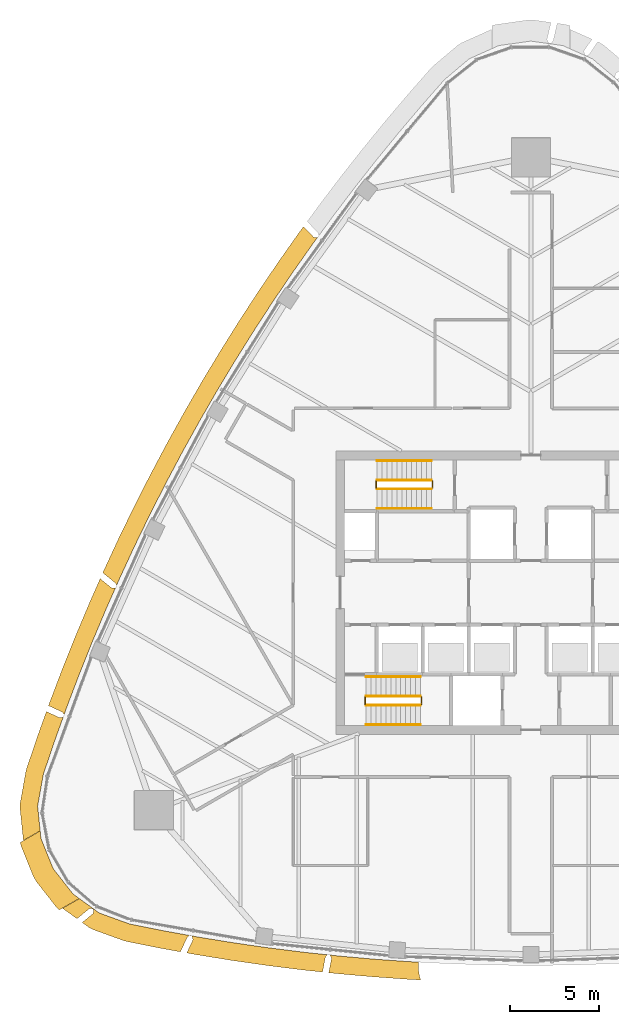
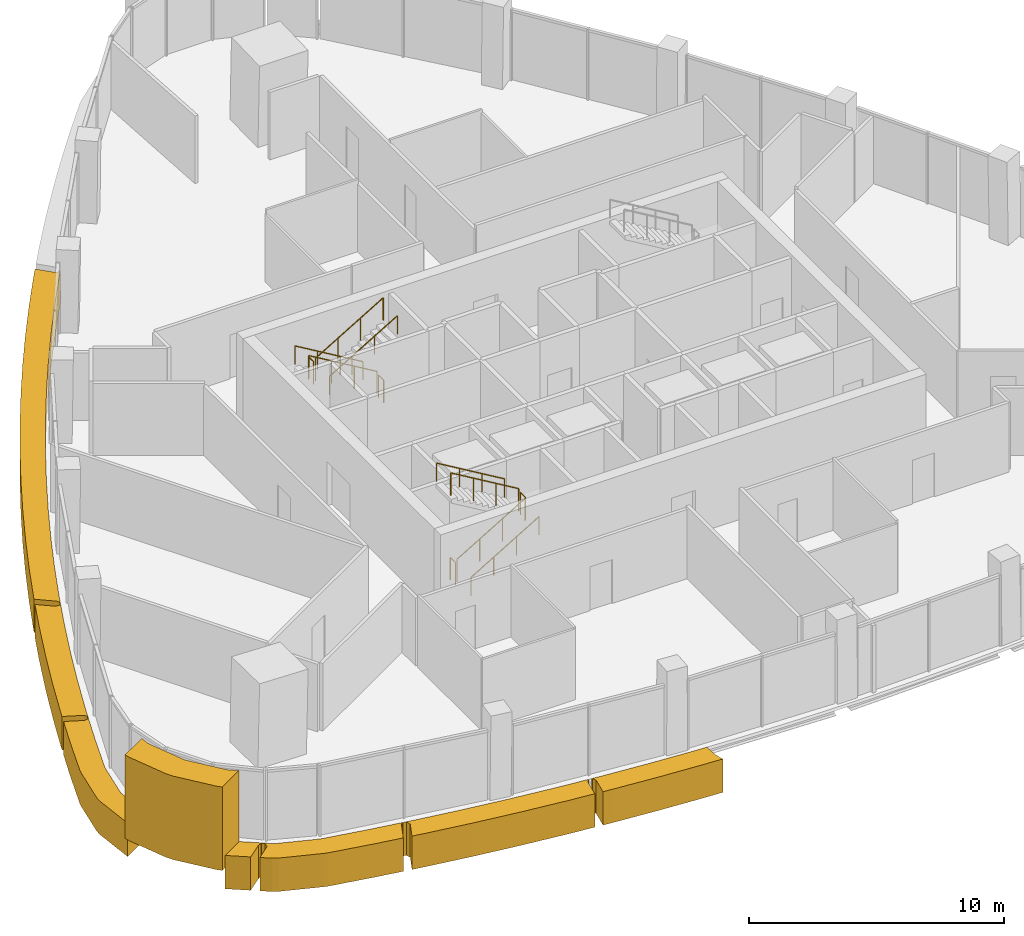
# One storey, part 12 of 15: 12 railings, 5 coverings.
"""IFC4 building model written with IfcOpenShell, lengths in metres."""

from ifc_helpers import new_model, si_unit, direction, frame, origin, origin_2d, place, context, subcontext, project, spatial, polyline, circle, outline, extrude, material, layer, layer_set, type_object, element, save


model = new_model("IFC4")

# Units and contexts
model_context = context("Model", 3, precision=1e-05, world=origin(), true_north=direction((0.0, 1.0)))
body_context = subcontext(model_context, "Body", "Model", "MODEL_VIEW")
ifc_project = project(units=[si_unit("LENGTHUNIT", "METRE"), si_unit("AREAUNIT", "SQUARE_METRE"), si_unit("VOLUMEUNIT", "CUBIC_METRE"), si_unit("PLANEANGLEUNIT", "RADIAN"), si_unit("MASSUNIT", "GRAM", prefix="KILO")], contexts=[model_context])

# Site, building, storey
site_placement = place(None, origin())
site = spatial("IfcSite", under=ifc_project, at=site_placement, CompositionType="ELEMENT")
building_placement = place(site_placement, origin())
building = spatial("IfcBuilding", under=site, at=building_placement, Name="Sierra Prisma Convention Tower", CompositionType="ELEMENT")
storey_placement = place(building_placement, frame((0.0, 0.0, 267.0)))
storey = spatial("IfcBuildingStorey", under=building, at=storey_placement, Name="L60", CompositionType="ELEMENT", Elevation=267.0)

# Coverings
ifc_material_1 = material(Name="Aluminium composite bronze anodised", Category="aluminium")
ifc_layer_1 = layer(ifc_material_1, 1.199951171875)
ifc_layer_set_1 = layer_set([ifc_layer_1], Name="Bronze corner pier")
covering_type_1 = type_object("IfcCoveringType", Name="Bronze corner pier", PredefinedType="CLADDING", material=ifc_layer_set_1)
covering_1_placement = place(storey_placement, frame((0.0, 0.0, -0.60009765625)))
element("IfcCovering", 1, at=covering_1_placement, inside=storey, type_object=covering_type_1, Name="Corner pier SW L60.1", PredefinedType="CLADDING", context=body_context, shape_type="SweptSolid", body=[
    extrude(outline(polyline([(-28.807861328125, -14.091796875), (-27.683349609375, -13.442626953125), (-27.6396484375, -13.8662109375), (-26.955322265625, -15.562744140625), (-25.828369140625, -17.00341796875), (-25.4833984375, -17.253173828125), (-26.60791015625, -17.90234375), (-26.7734375, -17.742919921875), (-27.900634765625, -16.302001953125), (-28.068359375, -16.01171875), (-28.75244140625, -14.315185546875), (-28.807861328125, -14.091796875)])), origin(), (0.0, 0.0, 1.0), 4.0),
])
ifc_material_2 = material(Name="Aluminium composite bronze anodised", Category="aluminium")
ifc_layer_2 = layer(ifc_material_2, 1.0)
ifc_layer_set_2 = layer_set([ifc_layer_2], Name="Bronze spandrel band")
covering_type_2 = type_object("IfcCoveringType", Name="Bronze spandrel band", PredefinedType="CLADDING", material=ifc_layer_set_2)
covering_2_placement = place(storey_placement, frame((0.0, 0.0, -1.60009765625)))
element("IfcCovering", 2, at=covering_2_placement, inside=storey, type_object=covering_type_2, Name="Spandrel band L60.1", PredefinedType="CLADDING", context=body_context, shape_type="SweptSolid", body=[
    extrude(outline(polyline([(-26.575439453125, -7.05322265625), (-26.570556640625, -7.052978515625), (-26.5654296875, -7.052490234375), (-26.4169921875, -7.026611328125), (-26.412353515625, -7.025390625), (-26.407958984375, -7.02392578125), (-26.403564453125, -7.022216796875), (-26.3994140625, -7.019775390625), (-26.3955078125, -7.01708984375), (-26.3916015625, -7.013916015625), (-26.388427734375, -7.010498046875), (-26.38525390625, -7.0068359375), (-26.3828125, -7.002685546875), (-26.380615234375, -6.99853515625), (-26.378662109375, -6.994140625), (-26.3447265625, -6.900146484375), (-26.343505859375, -6.8955078125), (-26.34228515625, -6.890625), (-26.341796875, -6.8857421875), (-26.341796875, -6.881103515625), (-26.34228515625, -6.876220703125), (-26.34326171875, -6.871337890625), (-26.3447265625, -6.86669921875), (-26.346435546875, -6.8623046875), (-26.3486328125, -6.85791015625), (-26.351318359375, -6.85400390625), (-26.428955078125, -6.746826171875), (-26.43212890625, -6.742919921875), (-26.435791015625, -6.7392578125), (-26.439697265625, -6.736083984375), (-26.44384765625, -6.733154296875), (-26.448486328125, -6.730712890625), (-27.215087890625, -6.377197265625), (-27.1396484375, -6.1669921875), (-27.13330078125, -6.150146484375), (-26.4306640625, -4.297607421875), (-26.424072265625, -4.281005859375), (-25.688232421875, -2.44140625), (-25.681396484375, -2.4248046875), (-24.912841796875, -0.5986328125), (-24.90576171875, -0.582275390625), (-24.298828125, 0.790283203125), (-23.665283203125, 0.27978515625), (-23.6611328125, 0.27685546875), (-23.656982421875, 0.2744140625), (-23.65234375, 0.272216796875), (-23.647705078125, 0.270751953125), (-23.642822265625, 0.26953125), (-23.637939453125, 0.268798828125), (-23.633056640625, 0.268798828125), (-23.465087890625, 0.271728515625), (-23.460205078125, 0.272216796875), (-23.45556640625, 0.27294921875), (-23.451171875, 0.274169921875), (-23.446533203125, 0.275634765625), (-23.4423828125, 0.27783203125), (-23.438232421875, 0.2802734375), (-23.4345703125, 0.282958984375), (-23.430908203125, 0.2861328125), (-23.427734375, 0.28955078125), (-23.42578125, 0.292236328125), (-23.9912109375, -0.986572265625), (-24.759765625, -2.812744140625), (-25.49560546875, -4.65234375), (-26.198486328125, -6.5048828125), (-26.867919921875, -8.36962890625), (-27.504150390625, -10.24609375), (-27.827392578125, -12.046630859375), (-27.6845703125, -13.431884765625), (-28.6318359375, -13.978759765625), (-28.634521484375, -13.968994140625), (-28.822265625, -12.1494140625), (-28.811767578125, -11.869873046875), (-28.48828125, -10.0693359375), (-28.451171875, -9.925048828125), (-27.815185546875, -8.048583984375), (-27.80908203125, -8.03173828125), (-27.333740234375, -6.707763671875), (-26.594970703125, -7.048583984375), (-26.59033203125, -7.050537109375), (-26.58544921875, -7.052001953125), (-26.58056640625, -7.052734375), (-26.575439453125, -7.05322265625)])), origin(), (0.0, 0.0, 1.0), 1.60009765625),
])
covering_3_placement = place(storey_placement, frame((0.0, 0.0, -1.60009765625)))
element("IfcCovering", 3, at=covering_3_placement, inside=storey, type_object=covering_type_2, Name="Spandrel band L60.2", PredefinedType="CLADDING", context=body_context, shape_type="SweptSolid", body=[
    extrude(outline(polyline([(-22.62548828125, -18.6962890625), (-20.682373046875, -19.08349609375), (-18.732666015625, -19.43603515625), (-16.77685546875, -19.753662109375), (-14.81591796875, -20.0361328125), (-12.85009765625, -20.28369140625), (-11.459716796875, -20.433349609375), (-11.46337890625, -20.433837890625), (-11.46826171875, -20.43505859375), (-11.47265625, -20.4365234375), (-11.477294921875, -20.438720703125), (-11.4814453125, -20.44091796875), (-11.4853515625, -20.44384765625), (-11.489013671875, -20.447021484375), (-11.4921875, -20.45068359375), (-11.578125, -20.551025390625), (-11.581298828125, -20.55517578125), (-11.583984375, -20.5595703125), (-11.586181640625, -20.564208984375), (-11.587890625, -20.56884765625), (-11.589111328125, -20.573974609375), (-11.75341796875, -21.407470703125), (-12.95703125, -21.27783203125), (-12.974853515625, -21.27587890625), (-14.940673828125, -21.0283203125), (-14.95849609375, -21.02587890625), (-16.91943359375, -20.743408203125), (-16.937255859375, -20.74072265625), (-18.892822265625, -20.423095703125), (-18.91064453125, -20.420166015625), (-19.413818359375, -20.3291015625), (-19.069091796875, -19.598388671875), (-19.0673828125, -19.59375), (-19.06591796875, -19.5888671875), (-19.06494140625, -19.583984375), (-19.064453125, -19.5791015625), (-19.064453125, -19.57421875), (-19.06494140625, -19.569091796875), (-19.06591796875, -19.564208984375), (-19.108642578125, -19.40185546875), (-19.110107421875, -19.397216796875), (-19.11181640625, -19.392822265625), (-19.114013671875, -19.388671875), (-19.11669921875, -19.384765625), (-19.11962890625, -19.381103515625), (-19.123046875, -19.377685546875), (-19.126708984375, -19.374755859375), (-19.130615234375, -19.3720703125), (-19.134521484375, -19.36962890625), (-19.138916015625, -19.367919921875), (-19.143310546875, -19.3662109375), (-19.148193359375, -19.365234375), (-19.24658203125, -19.347412109375), (-19.25146484375, -19.3466796875), (-19.25634765625, -19.3466796875), (-19.26123046875, -19.346923828125), (-19.26611328125, -19.347900390625), (-19.27099609375, -19.34912109375), (-19.275390625, -19.350830078125), (-19.280029296875, -19.35302734375), (-19.2841796875, -19.355712890625), (-19.2880859375, -19.35888671875), (-19.373291015625, -19.4326171875), (-19.376953125, -19.43603515625), (-19.38037109375, -19.440185546875), (-19.38330078125, -19.4443359375), (-19.3857421875, -19.448974609375), (-19.770263671875, -20.2646484375), (-20.8603515625, -20.067626953125), (-20.8779296875, -20.064208984375), (-22.821044921875, -19.677001953125), (-22.964599609375, -19.636962890625), (-24.685546875, -19.0166015625), (-24.9326171875, -18.885986328125), (-25.314208984375, -18.610107421875), (-24.715087890625, -18.123046875), (-24.71142578125, -18.11962890625), (-24.7080078125, -18.115966796875), (-24.705078125, -18.112060546875), (-24.702392578125, -18.10791015625), (-24.700439453125, -18.103271484375), (-24.69873046875, -18.0986328125), (-24.697509765625, -18.09375), (-24.66552734375, -17.928955078125), (-24.664794921875, -17.92431640625), (-24.66455078125, -17.91943359375), (-24.664794921875, -17.914794921875), (-24.66552734375, -17.909912109375), (-24.66650390625, -17.905517578125), (-24.668212890625, -17.90087890625), (-24.669921875, -17.896484375), (-24.67236328125, -17.892578125), (-24.675048828125, -17.888671875), (-24.67822265625, -17.885009765625), (-24.681640625, -17.8818359375), (-24.685302734375, -17.87890625), (-24.766357421875, -17.8203125), (-24.7705078125, -17.8173828125), (-24.77490234375, -17.815185546875), (-24.779296875, -17.8134765625), (-24.7841796875, -17.81201171875), (-24.7890625, -17.81103515625), (-24.7939453125, -17.810791015625), (-24.799072265625, -17.810791015625), (-24.803955078125, -17.811279296875), (-24.80859375, -17.8125), (-24.91748046875, -17.842041015625), (-24.92236328125, -17.843505859375), (-24.927001953125, -17.845703125), (-24.931640625, -17.848388671875), (-24.935791015625, -17.8515625), (-25.607666015625, -18.397705078125), (-26.41455078125, -17.813720703125), (-26.421875, -17.806640625), (-25.474609375, -17.259521484375), (-24.346435546875, -18.075927734375), (-22.62548828125, -18.6962890625)])), origin(), (0.0, 0.0, 1.0), 1.60009765625),
])
covering_4_placement = place(storey_placement, frame((0.0, 0.0, -1.60009765625)))
element("IfcCovering", 4, at=covering_4_placement, inside=storey, type_object=covering_type_2, Name="Spandrel band L60.3", PredefinedType="CLADDING", context=body_context, shape_type="SweptSolid", body=[
    extrude(outline(polyline([(-21.4853515625, 6.624755859375), (-21.47705078125, 6.640625), (-20.54833984375, 8.390869140625), (-20.539794921875, 8.406494140625), (-19.580078125, 10.139892578125), (-19.5712890625, 10.155517578125), (-18.58056640625, 11.871337890625), (-18.571533203125, 11.886962890625), (-17.55029296875, 13.584716796875), (-17.541015625, 13.60009765625), (-16.489501953125, 15.279296875), (-16.47998046875, 15.29443359375), (-15.398681640625, 16.954833984375), (-15.388671875, 16.9697265625), (-14.27783203125, 18.6103515625), (-14.267822265625, 18.625), (-13.127685546875, 20.24560546875), (-13.117431640625, 20.26025390625), (-12.82763671875, 20.65673828125), (-12.264404296875, 20.0703125), (-12.260986328125, 20.067138671875), (-12.257080078125, 20.064208984375), (-12.25341796875, 20.061767578125), (-12.249267578125, 20.0595703125), (-12.244873046875, 20.057861328125), (-12.240478515625, 20.056396484375), (-12.23583984375, 20.0556640625), (-12.078369140625, 20.031005859375), (-12.073486328125, 20.030517578125), (-12.068359375, 20.030517578125), (-12.0634765625, 20.031005859375), (-12.05859375, 20.031982421875), (-12.0537109375, 20.033447265625), (-12.04931640625, 20.035400390625), (-12.044921875, 20.03759765625), (-12.040771484375, 20.040283203125), (-12.03759765625, 20.04296875), (-12.309814453125, 19.67041015625), (-13.449951171875, 18.0498046875), (-14.560791015625, 16.408935546875), (-15.64208984375, 14.748779296875), (-16.693359375, 13.0693359375), (-17.714599609375, 11.371337890625), (-18.705322265625, 9.655517578125), (-19.6650390625, 7.922119140625), (-20.59375, 6.172119140625), (-21.490966796875, 4.405517578125), (-22.3564453125, 2.623046875), (-23.18994140625, 0.82568359375), (-23.37646484375, 0.403564453125), (-23.3759765625, 0.4072265625), (-23.37548828125, 0.412353515625), (-23.375732421875, 0.417236328125), (-23.376220703125, 0.422119140625), (-23.37744140625, 0.427001953125), (-23.37890625, 0.431640625), (-23.381103515625, 0.436279296875), (-23.4326171875, 0.536376953125), (-23.435302734375, 0.540771484375), (-23.438232421875, 0.544921875), (-23.44189453125, 0.548828125), (-23.44580078125, 0.552490234375), (-24.15234375, 1.12158203125), (-24.1044921875, 1.22998046875), (-24.09716796875, 1.24609375), (-23.263671875, 3.043701171875), (-23.256103515625, 3.059814453125), (-22.390380859375, 4.84228515625), (-22.382568359375, 4.858154296875), (-21.4853515625, 6.624755859375)])), origin(), (0.0, 0.0, 1.0), 1.60009765625),
])
covering_5_placement = place(storey_placement, frame((0.0, 0.0, -1.60009765625)))
element("IfcCovering", 5, at=covering_5_placement, inside=storey, type_object=covering_type_2, Name="Spandrel band L60.7", PredefinedType="CLADDING", context=body_context, shape_type="SweptSolid", body=[
    extrude(outline(polyline([(-6.98388671875, -21.81298828125), (-7.001708984375, -21.81201171875), (-8.97802734375, -21.670166015625), (-8.995849609375, -21.668701171875), (-10.96923828125, -21.49169921875), (-10.987060546875, -21.489990234375), (-11.404052734375, -21.4453125), (-11.24560546875, -20.6416015625), (-11.2451171875, -20.636474609375), (-11.244873046875, -20.631591796875), (-11.2451171875, -20.62646484375), (-11.245849609375, -20.62158203125), (-11.2470703125, -20.61669921875), (-11.248779296875, -20.61181640625), (-11.30908203125, -20.473876953125), (-11.31103515625, -20.469482421875), (-11.313720703125, -20.46533203125), (-11.31640625, -20.461669921875), (-11.31982421875, -20.4580078125), (-11.3232421875, -20.454833984375), (-11.3271484375, -20.4521484375), (-11.331298828125, -20.44970703125), (-11.335693359375, -20.447509765625), (-11.3388671875, -20.4462890625), (-10.8798828125, -20.495849609375), (-8.906494140625, -20.6728515625), (-6.930419921875, -20.814453125), (-6.340576171875, -20.84619140625), (-6.3447265625, -20.966796875), (-6.341064453125, -21.213623046875), (-6.313232421875, -21.459228515625), (-6.261474609375, -21.70068359375), (-6.21240234375, -21.8544921875), (-6.98388671875, -21.81298828125)])), origin(), (0.0, 0.0, 1.0), 1.60009765625),
])

# Railings
ifc_material_3 = material(Name="Stainless steel", Category="steel")
railing_type_1 = type_object("IfcRailingType", Name="Exit stair handrail", PredefinedType="HANDRAIL", material=ifc_material_3)
railing_1_placement = place(storey_placement, frame((-9.300048828125, -7.449951171875, 0.166748046875)))
element("IfcRailing", 6, at=railing_1_placement, inside=storey, type_object=railing_type_1, Name="L60 S1 stair handrail 1", PredefinedType="HANDRAIL", context=body_context, shape_type="SweptSolid", body=[
    extrude(circle(Radius=0.02392578125, at=origin_2d()), frame((0.0, 0.0, 0.8759765625), z_axis=(0.859308565015, 0.0, 0.511457515432), x_axis=(0.0, 1.0, 0.0)), (0.0, 0.0, 1.0), 3.58447265625),
    extrude(circle(Radius=0.02099609375, at=origin_2d()), origin(), (0.0, 0.0, 1.0), 0.851806640625),
    extrude(circle(Radius=0.02099609375, at=origin_2d()), frame((1.026611328125, 0.0, 0.611083984375)), (0.0, 0.0, 1.0), 0.851806640625),
    extrude(circle(Radius=0.02099609375, at=origin_2d()), frame((2.053466796875, 0.0, 1.22216796875)), (0.0, 0.0, 1.0), 0.851806640625),
    extrude(circle(Radius=0.02099609375, at=origin_2d()), frame((3.080078125, 0.0, 1.833251953125)), (0.0, 0.0, 1.0), 0.851806640625),
])
railing_2_placement = place(storey_placement, frame((-6.219970703125, -4.75, 2.166748046875)))
element("IfcRailing", 7, at=railing_2_placement, inside=storey, type_object=railing_type_1, Name="L60 S1 stair handrail 2", PredefinedType="HANDRAIL", context=body_context, shape_type="SweptSolid", body=[
    extrude(circle(Radius=0.02392578125, at=origin_2d()), frame((0.0, 0.0, 0.8759765625), z_axis=(-0.859308565015, 0.0, 0.511457515432), x_axis=(0.0, -1.0, 0.0)), (0.0, 0.0, 1.0), 3.58447265625),
    extrude(circle(Radius=0.02099609375, at=origin_2d()), origin(), (0.0, 0.0, 1.0), 0.851806640625),
    extrude(circle(Radius=0.02099609375, at=origin_2d()), frame((-1.026611328125, 0.0, 0.611083984375)), (0.0, 0.0, 1.0), 0.851806640625),
    extrude(circle(Radius=0.02099609375, at=origin_2d()), frame((-2.053466796875, 0.0, 1.22216796875)), (0.0, 0.0, 1.0), 0.851806640625),
    extrude(circle(Radius=0.02099609375, at=origin_2d()), frame((-3.080078125, 0.0, 1.833251953125)), (0.0, 0.0, 1.0), 0.851806640625),
])
railing_3_placement = place(storey_placement, frame((-5.60009765625, 7.449951171875, 0.166748046875)))
element("IfcRailing", 8, at=railing_3_placement, inside=storey, type_object=railing_type_1, Name="L60 S3 stair handrail 1", PredefinedType="HANDRAIL", context=body_context, shape_type="SweptSolid", body=[
    extrude(circle(Radius=0.02392578125, at=origin_2d()), frame((0.0, 0.0, 0.8759765625), z_axis=(-0.859290745958, 0.0, 0.51148745235), x_axis=(0.0, -1.0, 0.0)), (0.0, 0.0, 1.0), 3.584228515625),
    extrude(circle(Radius=0.02099609375, at=origin_2d()), origin(), (0.0, 0.0, 1.0), 0.851806640625),
    extrude(circle(Radius=0.02099609375, at=origin_2d()), frame((-1.026611328125, 0.0, 0.611083984375)), (0.0, 0.0, 1.0), 0.851806640625),
    extrude(circle(Radius=0.02099609375, at=origin_2d()), frame((-2.05322265625, 0.0, 1.22216796875)), (0.0, 0.0, 1.0), 0.851806640625),
    extrude(circle(Radius=0.02099609375, at=origin_2d()), frame((-3.079833984375, 0.0, 1.833251953125)), (0.0, 0.0, 1.0), 0.851806640625),
])
railing_4_placement = place(storey_placement, frame((-8.679931640625, 4.75, 2.166748046875)))
element("IfcRailing", 9, at=railing_4_placement, inside=storey, type_object=railing_type_1, Name="L60 S3 stair handrail 2", PredefinedType="HANDRAIL", context=body_context, shape_type="SweptSolid", body=[
    extrude(circle(Radius=0.02392578125, at=origin_2d()), frame((0.0, 0.0, 0.8759765625), z_axis=(0.859290745958, 0.0, 0.51148745235), x_axis=(0.0, 1.0, 0.0)), (0.0, 0.0, 1.0), 3.584228515625),
    extrude(circle(Radius=0.02099609375, at=origin_2d()), origin(), (0.0, 0.0, 1.0), 0.851806640625),
    extrude(circle(Radius=0.02099609375, at=origin_2d()), frame((1.026611328125, 0.0, 0.611083984375)), (0.0, 0.0, 1.0), 0.851806640625),
    extrude(circle(Radius=0.02099609375, at=origin_2d()), frame((2.05322265625, 0.0, 1.22216796875)), (0.0, 0.0, 1.0), 0.851806640625),
    extrude(circle(Radius=0.02099609375, at=origin_2d()), frame((3.079833984375, 0.0, 1.833251953125)), (0.0, 0.0, 1.0), 0.851806640625),
])
ifc_material_4 = material(Name="Stainless steel", Category="steel")
railing_type_2 = type_object("IfcRailingType", Name="Stair guard 1100", PredefinedType="GUARDRAIL", material=ifc_material_4)
railing_5_placement = place(storey_placement, frame((-9.300048828125, -6.35009765625, 0.166748046875)))
element("IfcRailing", 10, at=railing_5_placement, inside=storey, type_object=railing_type_2, Name="L60 S1 stair guard 1", PredefinedType="GUARDRAIL", context=body_context, shape_type="SweptSolid", body=[
    extrude(circle(Radius=0.02392578125, at=origin_2d()), frame((0.0, 0.0, 1.076171875), z_axis=(0.859308565015, 0.0, 0.511457515432), x_axis=(0.0, 1.0, 0.0)), (0.0, 0.0, 1.0), 3.58447265625),
    extrude(circle(Radius=0.02099609375, at=origin_2d()), origin(), (0.0, 0.0, 1.0), 1.052001953125),
    extrude(circle(Radius=0.02099609375, at=origin_2d()), frame((1.026611328125, 0.0, 0.611083984375)), (0.0, 0.0, 1.0), 1.052001953125),
    extrude(circle(Radius=0.02099609375, at=origin_2d()), frame((2.053466796875, 0.0, 1.22216796875)), (0.0, 0.0, 1.0), 1.052001953125),
    extrude(circle(Radius=0.02099609375, at=origin_2d()), frame((3.080078125, 0.0, 1.833251953125)), (0.0, 0.0, 1.0), 1.052001953125),
])
railing_6_placement = place(storey_placement, frame((-6.169921875, -6.300048828125, 2.0)))
element("IfcRailing", 11, at=railing_6_placement, inside=storey, type_object=railing_type_2, Name="L60 S1 stair guard 2", PredefinedType="GUARDRAIL", context=body_context, shape_type="SweptSolid", body=[
    extrude(circle(Radius=0.02392578125, at=origin_2d()), frame((0.0, 0.0, 1.076171875), z_axis=(0.0, 1.0, 0.0), x_axis=(-1.0, 0.0, 0.0)), (0.0, 0.0, 1.0), 0.400146484375),
    extrude(circle(Radius=0.02099609375, at=origin_2d()), origin(), (0.0, 0.0, 1.0), 1.052001953125),
    extrude(circle(Radius=0.02099609375, at=origin_2d()), frame((0.0, 0.400146484375, 0.0)), (0.0, 0.0, 1.0), 1.052001953125),
])
railing_7_placement = place(storey_placement, frame((-6.219970703125, -5.85009765625, 2.166748046875)))
element("IfcRailing", 12, at=railing_7_placement, inside=storey, type_object=railing_type_2, Name="L60 S1 stair guard 3", PredefinedType="GUARDRAIL", context=body_context, shape_type="SweptSolid", body=[
    extrude(circle(Radius=0.02392578125, at=origin_2d()), frame((0.0, 0.0, 1.076171875), z_axis=(-0.859308565015, 0.0, 0.511457515432), x_axis=(0.0, -1.0, 0.0)), (0.0, 0.0, 1.0), 3.58447265625),
    extrude(circle(Radius=0.02099609375, at=origin_2d()), origin(), (0.0, 0.0, 1.0), 1.052001953125),
    extrude(circle(Radius=0.02099609375, at=origin_2d()), frame((-1.026611328125, 0.0, 0.611083984375)), (0.0, 0.0, 1.0), 1.052001953125),
    extrude(circle(Radius=0.02099609375, at=origin_2d()), frame((-2.053466796875, 0.0, 1.22216796875)), (0.0, 0.0, 1.0), 1.052001953125),
    extrude(circle(Radius=0.02099609375, at=origin_2d()), frame((-3.080078125, 0.0, 1.833251953125)), (0.0, 0.0, 1.0), 1.052001953125),
])
railing_8_placement = place(storey_placement, frame((-9.35009765625, -6.300048828125, 0.0)))
element("IfcRailing", 13, at=railing_8_placement, inside=storey, type_object=railing_type_2, Name="L60 S1 stair guard 4", PredefinedType="GUARDRAIL", context=body_context, shape_type="SweptSolid", body=[
    extrude(circle(Radius=0.02392578125, at=origin_2d()), frame((0.0, 0.0, 1.076171875), z_axis=(0.0, 1.0, 0.0), x_axis=(-1.0, 0.0, 0.0)), (0.0, 0.0, 1.0), 0.400146484375),
    extrude(circle(Radius=0.02099609375, at=origin_2d()), origin(), (0.0, 0.0, 1.0), 1.052001953125),
    extrude(circle(Radius=0.02099609375, at=origin_2d()), frame((0.0, 0.400146484375, 0.0)), (0.0, 0.0, 1.0), 1.052001953125),
])
railing_9_placement = place(storey_placement, frame((-5.60009765625, 6.35009765625, 0.166748046875)))
element("IfcRailing", 14, at=railing_9_placement, inside=storey, type_object=railing_type_2, Name="L60 S3 stair guard 1", PredefinedType="GUARDRAIL", context=body_context, shape_type="SweptSolid", body=[
    extrude(circle(Radius=0.02392578125, at=origin_2d()), frame((0.0, 0.0, 1.076171875), z_axis=(-0.859290745958, 0.0, 0.51148745235), x_axis=(0.0, -1.0, 0.0)), (0.0, 0.0, 1.0), 3.584228515625),
    extrude(circle(Radius=0.02099609375, at=origin_2d()), origin(), (0.0, 0.0, 1.0), 1.052001953125),
    extrude(circle(Radius=0.02099609375, at=origin_2d()), frame((-1.026611328125, 0.0, 0.611083984375)), (0.0, 0.0, 1.0), 1.052001953125),
    extrude(circle(Radius=0.02099609375, at=origin_2d()), frame((-2.05322265625, 0.0, 1.22216796875)), (0.0, 0.0, 1.0), 1.052001953125),
    extrude(circle(Radius=0.02099609375, at=origin_2d()), frame((-3.079833984375, 0.0, 1.833251953125)), (0.0, 0.0, 1.0), 1.052001953125),
])
railing_10_placement = place(storey_placement, frame((-8.72998046875, 6.300048828125, 2.0)))
element("IfcRailing", 15, at=railing_10_placement, inside=storey, type_object=railing_type_2, Name="L60 S3 stair guard 2", PredefinedType="GUARDRAIL", context=body_context, shape_type="SweptSolid", body=[
    extrude(circle(Radius=0.02392578125, at=origin_2d()), frame((0.0, 0.0, 1.076171875), z_axis=(0.0, -1.0, 0.0), x_axis=(1.0, 0.0, 0.0)), (0.0, 0.0, 1.0), 0.400146484375),
    extrude(circle(Radius=0.02099609375, at=origin_2d()), origin(), (0.0, 0.0, 1.0), 1.052001953125),
    extrude(circle(Radius=0.02099609375, at=origin_2d()), frame((0.0, -0.400146484375, 0.0)), (0.0, 0.0, 1.0), 1.052001953125),
])
railing_11_placement = place(storey_placement, frame((-8.679931640625, 5.85009765625, 2.166748046875)))
element("IfcRailing", 16, at=railing_11_placement, inside=storey, type_object=railing_type_2, Name="L60 S3 stair guard 3", PredefinedType="GUARDRAIL", context=body_context, shape_type="SweptSolid", body=[
    extrude(circle(Radius=0.02392578125, at=origin_2d()), frame((0.0, 0.0, 1.076171875), z_axis=(0.859290745958, 0.0, 0.51148745235), x_axis=(0.0, 1.0, 0.0)), (0.0, 0.0, 1.0), 3.584228515625),
    extrude(circle(Radius=0.02099609375, at=origin_2d()), origin(), (0.0, 0.0, 1.0), 1.052001953125),
    extrude(circle(Radius=0.02099609375, at=origin_2d()), frame((1.026611328125, 0.0, 0.611083984375)), (0.0, 0.0, 1.0), 1.052001953125),
    extrude(circle(Radius=0.02099609375, at=origin_2d()), frame((2.05322265625, 0.0, 1.22216796875)), (0.0, 0.0, 1.0), 1.052001953125),
    extrude(circle(Radius=0.02099609375, at=origin_2d()), frame((3.079833984375, 0.0, 1.833251953125)), (0.0, 0.0, 1.0), 1.052001953125),
])
railing_12_placement = place(storey_placement, frame((-5.550048828125, 6.300048828125, 0.0)))
element("IfcRailing", 17, at=railing_12_placement, inside=storey, type_object=railing_type_2, Name="L60 S3 stair guard 4", PredefinedType="GUARDRAIL", context=body_context, shape_type="SweptSolid", body=[
    extrude(circle(Radius=0.02392578125, at=origin_2d()), frame((0.0, 0.0, 1.076171875), z_axis=(0.0, -1.0, 0.0), x_axis=(1.0, 0.0, 0.0)), (0.0, 0.0, 1.0), 0.400146484375),
    extrude(circle(Radius=0.02099609375, at=origin_2d()), origin(), (0.0, 0.0, 1.0), 1.052001953125),
    extrude(circle(Radius=0.02099609375, at=origin_2d()), frame((0.0, -0.400146484375, 0.0)), (0.0, 0.0, 1.0), 1.052001953125),
])

save(model, "model.ifc")
